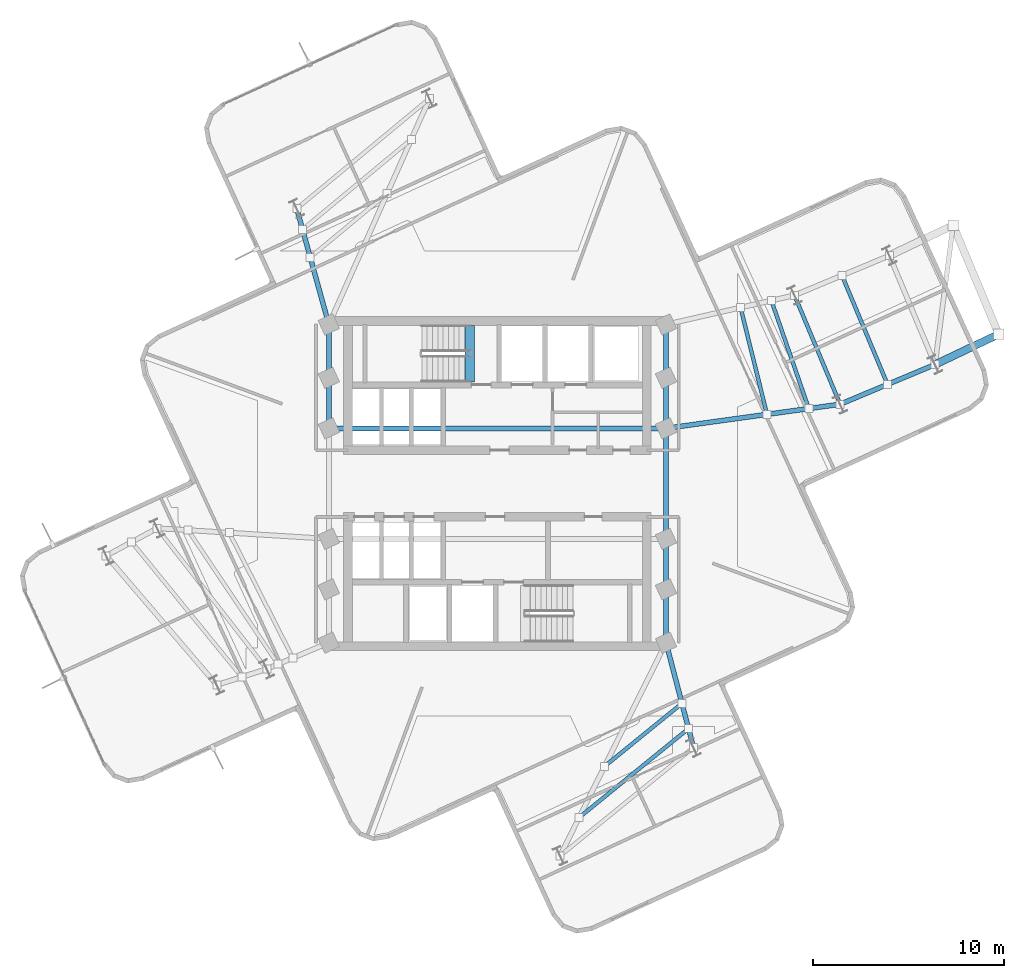
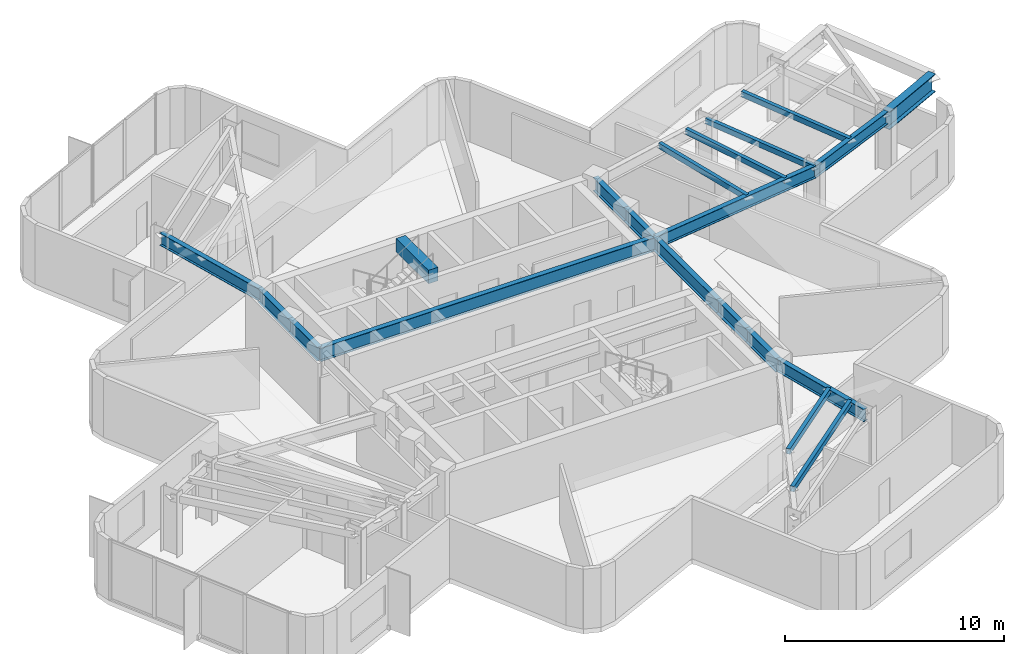
# One storey, part 3 of 11: 20 beams.
"""IFC4 building model written with IfcOpenShell, lengths in metres."""

from ifc_helpers import new_model, si_unit, direction, frame, origin, origin_2d, place, context, subcontext, project, spatial, rectangle, hollow_rectangle, i_section, extrude, material, material_profile, profile_set, type_object, element, save


model = new_model("IFC4")

# Units and contexts
model_context = context("Model", 3, precision=1e-05, world=origin(), true_north=direction((0.0, 1.0)))
body_context = subcontext(model_context, "Body", "Model", "MODEL_VIEW")
ifc_project = project(units=[si_unit("LENGTHUNIT", "METRE"), si_unit("AREAUNIT", "SQUARE_METRE"), si_unit("VOLUMEUNIT", "CUBIC_METRE"), si_unit("PLANEANGLEUNIT", "RADIAN"), si_unit("MASSUNIT", "GRAM", prefix="KILO")], contexts=[model_context])

# Site, building, storey
site_placement = place(None, origin())
site = spatial("IfcSite", under=ifc_project, at=site_placement, CompositionType="ELEMENT")
building_placement = place(site_placement, origin())
building = spatial("IfcBuilding", under=site, at=building_placement, Name="Solmarez Civic Tower", CompositionType="ELEMENT")
storey_placement = place(building_placement, frame((0.0, 0.0, 184.679931640625)))
storey = spatial("IfcBuildingStorey", under=building, at=storey_placement, Name="L49", CompositionType="ELEMENT", Elevation=184.679931640625)

# Beams
ifc_material_1 = material(Name="Steel S355", Category="steel")
ifc_material_profile_1 = material_profile(ifc_material_1, hollow_rectangle(XDim=0.199951171875, YDim=0.300048828125, WallThickness=0.011962890625, at=origin_2d()), Name="HSS300X200X12")
ifc_profile_set_1 = profile_set([ifc_material_profile_1], Name="Steel S355")
beam_type_1 = type_object("IfcBeamType", Name="BM-JS-HSS300X200", PredefinedType="JOIST", material=ifc_profile_set_1)
beam_1_placement = place(storey_placement, frame((17.987060546875, 4.1640625, 3.190185546875), z_axis=(-0.386010282684, 0.922494477849, 0.0), x_axis=(-0.922494477849, -0.386010282684, 0.0)))
element("IfcBeam", 1, at=beam_1_placement, inside=storey, type_object=beam_type_1, Name="L49 Secondary Floor Joist BM-L49-EA-T1", PredefinedType="JOIST", context=body_context, shape_type="SweptSolid", body=[
    extrude(hollow_rectangle(XDim=0.199951171875, YDim=0.300048828125, WallThickness=0.011962890625, at=origin_2d()), origin(), (0.0, 0.0, 1.0), 6.199462890625),
])
beam_2_placement = place(storey_placement, frame((20.47705078125, 5.2060546875, 3.190185546875), z_axis=(-0.385876218946, 0.922550564279, 0.0), x_axis=(-0.922550564279, -0.385876218946, 0.0)))
element("IfcBeam", 2, at=beam_2_placement, inside=storey, type_object=beam_type_1, Name="L49 Secondary Floor Joist JS-L49-EA-M2", PredefinedType="JOIST", context=body_context, shape_type="SweptSolid", body=[
    extrude(hollow_rectangle(XDim=0.199951171875, YDim=0.300048828125, WallThickness=0.011962890625, at=origin_2d()), origin(), (0.0, 0.0, 1.0), 6.19921875),
])
beam_3_placement = place(storey_placement, frame((14.14892578125, 3.633056640625, 3.190185546875), z_axis=(-0.240167471374, 0.970731469405, 0.0), x_axis=(-0.970731469405, -0.240167471374, 0.0)))
element("IfcBeam", 3, at=beam_3_placement, inside=storey, type_object=beam_type_1, Name="L49 Secondary Floor Joist JS-L49-EA-M11", PredefinedType="JOIST", context=body_context, shape_type="SweptSolid", body=[
    extrude(hollow_rectangle(XDim=0.199951171875, YDim=0.300048828125, WallThickness=0.011962890625, at=origin_2d()), origin(), (0.0, 0.0, 1.0), 5.77490234375),
])
beam_4_placement = place(storey_placement, frame((16.342041015625, 3.93603515625, 3.190185546875), z_axis=(-0.326984797789, 0.945029598486, 0.0), x_axis=(-0.945029598486, -0.326984797789, 0.0)))
element("IfcBeam", 4, at=beam_4_placement, inside=storey, type_object=beam_type_1, Name="L49 Secondary Floor Joist JS-L49-EA-M12", PredefinedType="JOIST", context=body_context, shape_type="SweptSolid", body=[
    extrude(hollow_rectangle(XDim=0.199951171875, YDim=0.300048828125, WallThickness=0.011962890625, at=origin_2d()), origin(), (0.0, 0.0, 1.0), 6.000732421875),
])
beam_5_placement = place(storey_placement, frame((5.625, -14.837890625, 3.190185546875), z_axis=(0.776202509922, 0.630483674325, 0.0), x_axis=(-0.630483674325, 0.776202509922, 0.0)))
element("IfcBeam", 5, at=beam_5_placement, inside=storey, type_object=beam_type_1, Name="L49 Secondary Floor Joist JS-L49-SA-M11", PredefinedType="JOIST", context=body_context, shape_type="SweptSolid", body=[
    extrude(hollow_rectangle(XDim=0.199951171875, YDim=0.300048828125, WallThickness=0.011962890625, at=origin_2d()), origin(), (0.0, 0.0, 1.0), 5.230712890625),
])
beam_6_placement = place(storey_placement, frame((4.291015625, -17.52294921875, 3.190185546875), z_axis=(0.776173575786, 0.630519294115, 0.0), x_axis=(-0.630519294115, 0.776173575786, 0.0)))
element("IfcBeam", 6, at=beam_6_placement, inside=storey, type_object=beam_type_1, Name="L49 Secondary Floor Joist JS-L49-SA-M12", PredefinedType="JOIST", context=body_context, shape_type="SweptSolid", body=[
    extrude(hollow_rectangle(XDim=0.199951171875, YDim=0.300048828125, WallThickness=0.011962890625, at=origin_2d()), origin(), (0.0, 0.0, 1.0), 7.395263671875),
])
ifc_material_2 = material(Name="Concrete C50/60", Category="concrete")
ifc_material_profile_2 = material_profile(ifc_material_2, rectangle(XDim=0.5, YDim=0.75, at=origin_2d()), Name="RC500X750")
ifc_profile_set_2 = profile_set([ifc_material_profile_2], Name="Concrete C50/60")
beam_type_2 = type_object("IfcBeamType", Name="BM-PR-RC500X750", PredefinedType="BEAM", material=ifc_profile_set_2)
beam_7_placement = place(storey_placement, frame((-1.449951171875, 5.340087890625, 3.233154296875), z_axis=(0.0, 1.0, 0.0), x_axis=(-1.0, 0.0, 0.0)))
element("IfcBeam", 7, at=beam_7_placement, inside=storey, type_object=beam_type_2, Name="L49 North Stair Threshold Beam", PredefinedType="BEAM", context=body_context, shape_type="SweptSolid", body=[
    extrude(rectangle(XDim=0.5, YDim=0.75, at=origin_2d()), origin(), (0.0, 0.0, 1.0), 2.9599609375),
])
ifc_material_profile_3 = material_profile(ifc_material_1, i_section(OverallWidth=0.25390625, OverallDepth=0.68798828125, WebThickness=0.01318359375, FlangeThickness=0.02099609375, at=origin_2d()), Name="W27X102")
ifc_profile_set_3 = profile_set([ifc_material_profile_3], Name="Steel S355")
beam_type_3 = type_object("IfcBeamType", Name="BM-PR-W27X102", PredefinedType="BEAM", material=ifc_profile_set_3)
beam_8_placement = place(storey_placement, frame((8.85009765625, 2.89990234375, 2.99609375), z_axis=(0.990563968355, 0.137051175101, 0.0), x_axis=(-0.137051175101, 0.990563968355, 0.0)))
element("IfcBeam", 8, at=beam_8_placement, inside=storey, type_object=beam_type_3, Name="L49 Primary Floor Beam BM-L49-EA-R1A", PredefinedType="BEAM", context=body_context, shape_type="SweptSolid", body=[
    extrude(i_section(OverallWidth=0.25390625, OverallDepth=0.68798828125, WebThickness=0.01318359375, FlangeThickness=0.02099609375, at=origin_2d()), origin(), (0.0, 0.0, 1.0), 9.22412109375),
])
beam_9_placement = place(storey_placement, frame((17.987060546875, 4.1640625, 2.99609375), z_axis=(0.922511388683, 0.385969866376, 0.0), x_axis=(-0.385969866376, 0.922511388683, 0.0)))
element("IfcBeam", 9, at=beam_9_placement, inside=storey, type_object=beam_type_3, Name="L49 Primary Floor Beam BM-L49-EA-R2A", PredefinedType="BEAM", context=body_context, shape_type="SweptSolid", body=[
    extrude(i_section(OverallWidth=0.25390625, OverallDepth=0.68798828125, WebThickness=0.01318359375, FlangeThickness=0.02099609375, at=origin_2d()), origin(), (0.0, 0.0, 1.0), 5.3994140625),
])
beam_10_placement = place(storey_placement, frame((-8.85009765625, 8.35009765625, 2.99609375), z_axis=(-0.266634219494, 0.963797796737, 0.0), x_axis=(-0.963797796737, -0.266634219494, 0.0)))
element("IfcBeam", 10, at=beam_10_placement, inside=storey, type_object=beam_type_3, Name="L49 Primary Floor Beam BM-L49-NA-R1B", PredefinedType="BEAM", context=body_context, shape_type="SweptSolid", body=[
    extrude(i_section(OverallWidth=0.25390625, OverallDepth=0.68798828125, WebThickness=0.01318359375, FlangeThickness=0.02099609375, at=origin_2d()), origin(), (0.0, 0.0, 1.0), 6.3115234375),
])
beam_11_placement = place(storey_placement, frame((8.85009765625, -8.35009765625, 2.99609375), z_axis=(0.253271365575, -0.967395273598, 0.0), x_axis=(0.967395273598, 0.253271365575, 0.0)))
element("IfcBeam", 11, at=beam_11_placement, inside=storey, type_object=beam_type_3, Name="L49 Primary Floor Beam BM-L49-SA-R1B", PredefinedType="BEAM", context=body_context, shape_type="SweptSolid", body=[
    extrude(i_section(OverallWidth=0.25390625, OverallDepth=0.68798828125, WebThickness=0.01318359375, FlangeThickness=0.02099609375, at=origin_2d()), origin(), (0.0, 0.0, 1.0), 5.685302734375),
])
ifc_material_profile_4 = material_profile(ifc_material_1, i_section(OverallWidth=0.26708984375, OverallDepth=0.761962890625, WebThickness=0.014404296875, FlangeThickness=0.021484375, at=origin_2d()), Name="W30X116")
ifc_profile_set_4 = profile_set([ifc_material_profile_4], Name="Steel S355")
beam_type_4 = type_object("IfcBeamType", Name="BM-PR-W30X116", PredefinedType="BEAM", material=ifc_profile_set_4)
beam_12_placement = place(storey_placement, frame((-8.85009765625, 2.89990234375, 2.958984375), z_axis=(0.0, 1.0, 0.0), x_axis=(-1.0, 0.0, 0.0)))
element("IfcBeam", 12, at=beam_12_placement, inside=storey, type_object=beam_type_4, Name="L49 Primary Floor Beam BM-L49-HC3-HC4", PredefinedType="BEAM", context=body_context, shape_type="SweptSolid", body=[
    extrude(i_section(OverallWidth=0.26708984375, OverallDepth=0.761962890625, WebThickness=0.014404296875, FlangeThickness=0.021484375, at=origin_2d()), origin(), (0.0, 0.0, 1.0), 2.650146484375),
])
for number, where, z_axis, x_axis, name in (
    (13, (-8.85009765625, 5.550048828125, 2.958984375), (0.0, 1.0, 0.0), (-1.0, 0.0, 0.0), "L49 Primary Floor Beam BM-L49-HC4-HC9"),
    (14, (8.85009765625, -8.35009765625, 2.958984375), (0.0, 1.0, 0.0), (-1.0, 0.0, 0.0), "L49 Primary Floor Beam BM-L49-HC10-HC5"),
):
    element("IfcBeam", number, at=place(storey_placement, frame(where, z_axis=z_axis, x_axis=x_axis)), inside=storey, type_object=beam_type_4, Name=name, PredefinedType="BEAM", context=body_context, shape_type="SweptSolid", body=[
        extrude(i_section(OverallWidth=0.26708984375, OverallDepth=0.761962890625, WebThickness=0.014404296875, FlangeThickness=0.021484375, at=origin_2d()), origin(), (0.0, 0.0, 1.0), 2.800048828125),
    ])
beam_13_placement = place(storey_placement, frame((8.85009765625, -5.550048828125, 2.958984375), z_axis=(0.0, 1.0, 0.0), x_axis=(-1.0, 0.0, 0.0)))
element("IfcBeam", 15, at=beam_13_placement, inside=storey, type_object=beam_type_4, Name="L49 Primary Floor Beam BM-L49-HC5-HC6", PredefinedType="BEAM", context=body_context, shape_type="SweptSolid", body=[
    extrude(i_section(OverallWidth=0.26708984375, OverallDepth=0.761962890625, WebThickness=0.014404296875, FlangeThickness=0.021484375, at=origin_2d()), origin(), (0.0, 0.0, 1.0), 2.650146484375),
])
beam_14_placement = place(storey_placement, frame((8.85009765625, -2.89990234375, 2.958984375), z_axis=(0.0, 1.0, 0.0), x_axis=(-1.0, 0.0, 0.0)))
element("IfcBeam", 16, at=beam_14_placement, inside=storey, type_object=beam_type_4, Name="L49 Primary Floor Beam BM-L49-HC6-HC7", PredefinedType="BEAM", context=body_context, shape_type="SweptSolid", body=[
    extrude(i_section(OverallWidth=0.26708984375, OverallDepth=0.761962890625, WebThickness=0.014404296875, FlangeThickness=0.021484375, at=origin_2d()), origin(), (0.0, 0.0, 1.0), 5.7998046875),
])
beam_15_placement = place(storey_placement, frame((8.85009765625, 2.89990234375, 2.958984375), z_axis=(0.0, 1.0, 0.0), x_axis=(-1.0, 0.0, 0.0)))
element("IfcBeam", 17, at=beam_15_placement, inside=storey, type_object=beam_type_4, Name="L49 Primary Floor Beam BM-L49-HC7-HC8", PredefinedType="BEAM", context=body_context, shape_type="SweptSolid", body=[
    extrude(i_section(OverallWidth=0.26708984375, OverallDepth=0.761962890625, WebThickness=0.014404296875, FlangeThickness=0.021484375, at=origin_2d()), origin(), (0.0, 0.0, 1.0), 2.650146484375),
])
beam_16_placement = place(storey_placement, frame((8.85009765625, 5.550048828125, 2.958984375), z_axis=(0.0, 1.0, 0.0), x_axis=(-1.0, 0.0, 0.0)))
element("IfcBeam", 18, at=beam_16_placement, inside=storey, type_object=beam_type_4, Name="L49 Primary Floor Beam BM-L49-HC8-HC11", PredefinedType="BEAM", context=body_context, shape_type="SweptSolid", body=[
    extrude(i_section(OverallWidth=0.26708984375, OverallDepth=0.761962890625, WebThickness=0.014404296875, FlangeThickness=0.021484375, at=origin_2d()), origin(), (0.0, 0.0, 1.0), 2.800048828125),
])
beam_17_placement = place(storey_placement, frame((-8.85009765625, 2.89990234375, 2.958984375), z_axis=(1.0, 0.0, 0.0), x_axis=(0.0, 1.0, 0.0)))
element("IfcBeam", 19, at=beam_17_placement, inside=storey, type_object=beam_type_4, Name="L49 Primary Floor Beam BM-L49-HC3-HC7", PredefinedType="BEAM", context=body_context, shape_type="SweptSolid", body=[
    extrude(i_section(OverallWidth=0.26708984375, OverallDepth=0.761962890625, WebThickness=0.014404296875, FlangeThickness=0.021484375, at=origin_2d()), origin(), (0.0, 0.0, 1.0), 17.7001953125),
])
ifc_material_profile_5 = material_profile(ifc_material_1, i_section(OverallWidth=0.39892578125, OverallDepth=1.0, WebThickness=0.01904296875, FlangeThickness=0.0361328125, at=origin_2d()), Name="W40X249")
ifc_profile_set_5 = profile_set([ifc_material_profile_5], Name="Steel S355")
beam_type_5 = type_object("IfcBeamType", Name="BM-TG-W40X249", PredefinedType="USERDEFINED", material=ifc_profile_set_5)
beam_18_placement = place(storey_placement, frame((22.968017578125, 6.248046875, 2.840087890625), z_axis=(0.90285198229, 0.429951506656, 0.0), x_axis=(-0.429951506656, 0.90285198229, 0.0)))
element("IfcBeam", 20, at=beam_18_placement, inside=storey, type_object=beam_type_5, Name="L49 Transfer Girder TG-POOL-CANT-S", ObjectType="TRANSFER_GIRDER", PredefinedType="USERDEFINED", context=body_context, shape_type="SweptSolid", body=[
    extrude(i_section(OverallWidth=0.39892578125, OverallDepth=1.0, WebThickness=0.01904296875, FlangeThickness=0.0361328125, at=origin_2d()), origin(), (0.0, 0.0, 1.0), 3.70068359375),
])

save(model, "model.ifc")
